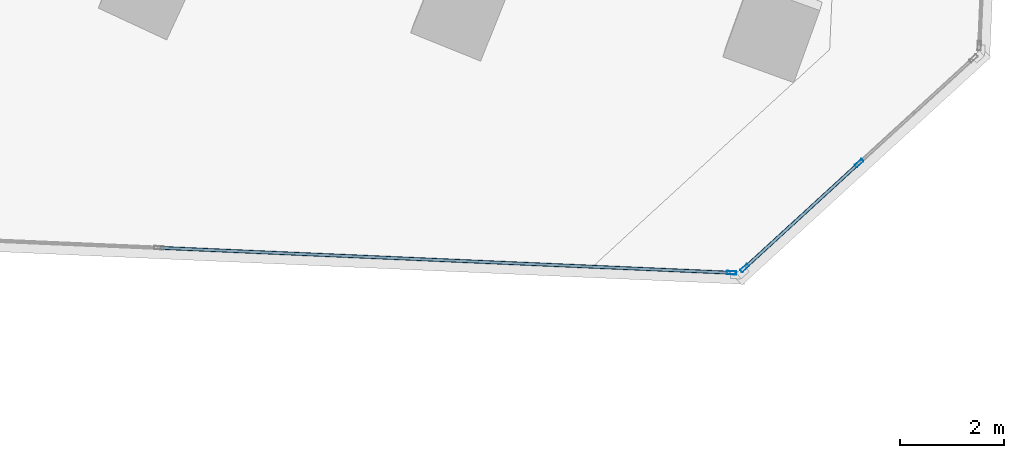
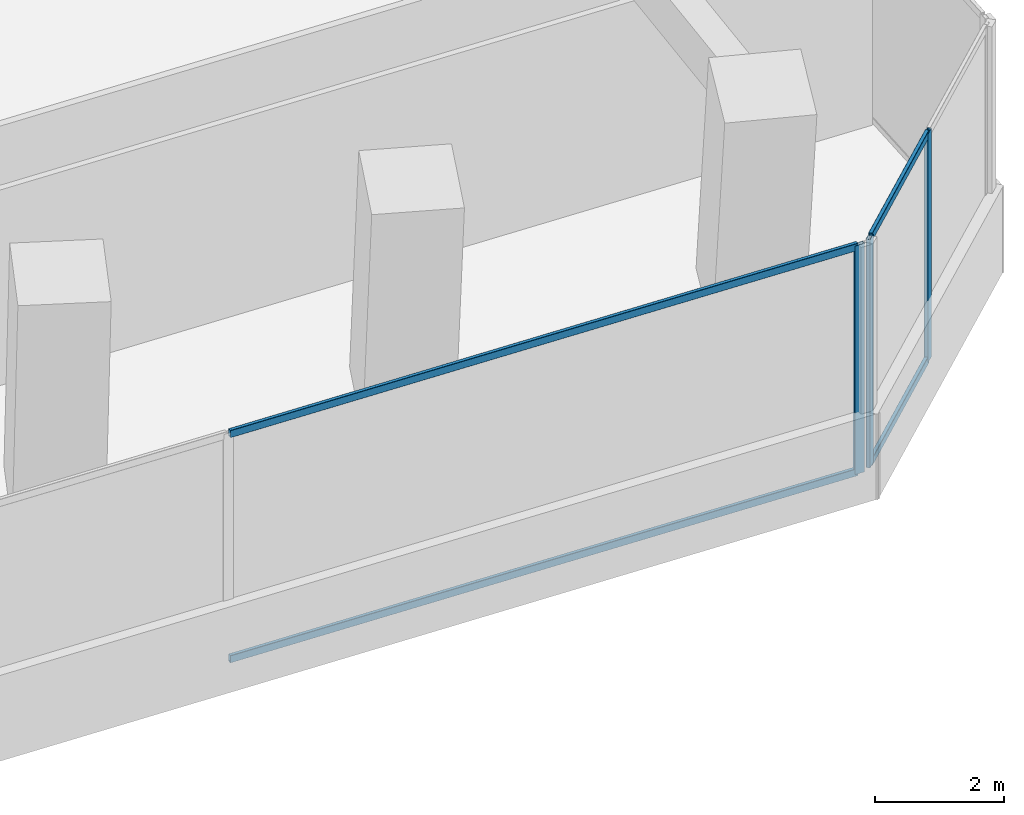
# One storey, part 10 of 26: 7 members, 2 elements without a shape of their own.
"""IFC4 building model written with IfcOpenShell, lengths in metres."""

from ifc_helpers import new_model, si_unit, direction, frame, origin, origin_2d, place, context, subcontext, project, spatial, hollow_rectangle, extrude, source, transform, mapped, material, material_profile, profile_set, type_object, element, aggregate, save


model = new_model("IFC4")

# Units and contexts
model_context = context("Model", 3, precision=1e-05, world=origin(), true_north=direction((0.0, 1.0)))
body_context = subcontext(model_context, "Body", "Model", "MODEL_VIEW")
ifc_project = project(units=[si_unit("LENGTHUNIT", "METRE"), si_unit("AREAUNIT", "SQUARE_METRE"), si_unit("VOLUMEUNIT", "CUBIC_METRE"), si_unit("PLANEANGLEUNIT", "RADIAN"), si_unit("MASSUNIT", "GRAM", prefix="KILO")], contexts=[model_context])

# Site, building, storey
site_placement = place(None, origin())
site = spatial("IfcSite", under=ifc_project, at=site_placement, CompositionType="ELEMENT")
building_placement = place(site_placement, origin())
building = spatial("IfcBuilding", under=site, at=building_placement, Name="Torre Montelarca", CompositionType="ELEMENT")
storey_placement = place(building_placement, frame((0.0, 0.0, 42.39990234375)))
storey = spatial("IfcBuildingStorey", under=building, at=storey_placement, Name="L09", CompositionType="ELEMENT", Elevation=42.39990234375)

# Curtain wall, member
ifc_material_1 = material(Name="Insulated low-E laminated glass", Category="glass")
curtain_wall_type = type_object("IfcCurtainWallType", Name="CW-SYS-Z1", PredefinedType="USERDEFINED", material=ifc_material_1)
curtain_wall_1_placement = place(storey_placement, origin())
curtain_wall_1 = element("IfcCurtainWall", 1, at=curtain_wall_1_placement, inside=storey, type_object=curtain_wall_type, Name="L09 Curtain Wall Run CW-T3-L09-E04-B1", ObjectType="UNITISED GLAZING", PredefinedType="USERDEFINED")
ifc_material_2 = material(Name="Anodised aluminium AA 6063-T6", Category="aluminium")
ifc_material_profile_1 = material_profile(ifc_material_2, hollow_rectangle(XDim=0.06494140625, YDim=0.179931640625, WallThickness=0.00390625, InnerFilletRadius=0.00390625, OuterFilletRadius=0.008056640625, at=origin_2d()), Name="ALU65X180X4", Category="aluminium")
ifc_profile_set_1 = profile_set([ifc_material_profile_1], Name="Anodised aluminium AA 6063-T6")
member_type_1 = type_object("IfcMemberType", Name="CWM-ALU180", PredefinedType="MULLION", material=ifc_profile_set_1)
shared_shape_1 = source(origin(), body_context, "Body", "SweptSolid", [
    extrude(hollow_rectangle(XDim=0.06494140625, YDim=0.179931640625, WallThickness=0.00390625, InnerFilletRadius=0.00390625, OuterFilletRadius=0.008056640625, at=origin_2d()), origin(), (0.0, 0.0, 1.0), 4.320068359375),
])
member_1_placement = place(storey_placement, frame((58.569580078125, 16.698486328125, 0.0), z_axis=(0.0, 0.0, 1.0), x_axis=(0.043617352644, 0.999048310418, 0.0)))
member_1 = element("IfcMember", 2, at=member_1_placement, type_object=member_type_1, Name="CW mullion 3", PredefinedType="MULLION", context=body_context, shape_type="MappedRepresentation", body=[
    mapped(shared_shape_1, transform((0.0, 0.0, 0.0), scale=1.0)),
])

# Curtain wall, members
curtain_wall_2_placement = place(storey_placement, origin())
curtain_wall_2 = element("IfcCurtainWall", 3, at=curtain_wall_2_placement, inside=storey, type_object=curtain_wall_type, Name="L09 Curtain Wall Run CW-T3-L09-E05-B1", ObjectType="UNITISED GLAZING", PredefinedType="USERDEFINED")
member_2_placement = place(storey_placement, frame((58.8203125, 16.789794921875, 0.0), z_axis=(0.0, 0.0, 1.0), x_axis=(-0.675574480513, 0.737291747736, 0.0)))
member_2 = element("IfcMember", 4, at=member_2_placement, type_object=member_type_1, Name="CW mullion 1", PredefinedType="MULLION", context=body_context, shape_type="MappedRepresentation", body=[
    mapped(shared_shape_1, transform((0.0, 0.0, 0.0), scale=1.0)),
])
member_3_placement = place(storey_placement, frame((61.020263671875, 18.8056640625, 0.0), z_axis=(0.0, 0.0, 1.0), x_axis=(-0.675574480513, 0.737291747736, 0.0)))
member_3 = element("IfcMember", 5, at=member_3_placement, type_object=member_type_1, Name="CW mullion 2", PredefinedType="MULLION", context=body_context, shape_type="MappedRepresentation", body=[
    mapped(shared_shape_1, transform((0.0, 0.0, 0.0), scale=1.0)),
])

# Member
ifc_material_profile_2 = material_profile(ifc_material_2, hollow_rectangle(XDim=0.06494140625, YDim=0.139892578125, WallThickness=0.00390625, InnerFilletRadius=0.00390625, OuterFilletRadius=0.008056640625, at=origin_2d()), Name="ALU65X140X4", Category="aluminium")
ifc_profile_set_2 = profile_set([ifc_material_profile_2], Name="Anodised aluminium AA 6063-T6")
member_type_2 = type_object("IfcMemberType", Name="CWT-ALU140", PredefinedType="USERDEFINED", material=ifc_profile_set_2)
shared_shape_2 = source(origin(), body_context, "Body", "SweptSolid", [
    extrude(hollow_rectangle(XDim=0.06494140625, YDim=0.139892578125, WallThickness=0.00390625, InnerFilletRadius=0.00390625, OuterFilletRadius=0.008056640625, at=origin_2d()), origin(), (0.0, 0.0, 1.0), 10.94873046875),
])
member_4_placement = place(storey_placement, frame((47.598876953125, 17.177490234375, 0.03271484375), z_axis=(0.99904835881, -0.043616244221, 0.0), x_axis=(0.043616244221, 0.99904835881, 0.0)))
member_4 = element("IfcMember", 6, at=member_4_placement, type_object=member_type_2, Name="CW transom 2.1", ObjectType="TRANSOM", PredefinedType="USERDEFINED", context=body_context, shape_type="MappedRepresentation", body=[
    mapped(shared_shape_2, transform((0.0, 0.0, 0.0), scale=1.0)),
])

member_5_placement = place(storey_placement, frame((47.598876953125, 17.177490234375, 4.28759765625), z_axis=(0.99904835881, -0.043616244221, 0.0), x_axis=(0.043616244221, 0.99904835881, 0.0)))
member_5 = element("IfcMember", 7, at=member_5_placement, type_object=member_type_2, Name="CW transom 2.2", ObjectType="TRANSOM", PredefinedType="USERDEFINED", context=body_context, shape_type="MappedRepresentation", body=[
    mapped(shared_shape_2, transform((0.0, 0.0, 0.0), scale=1.0)),
])

aggregate(curtain_wall_1, [member_1, member_4, member_5])

shared_shape_3 = source(origin(), body_context, "Body", "SweptSolid", [
    extrude(hollow_rectangle(XDim=0.06494140625, YDim=0.139892578125, WallThickness=0.00390625, InnerFilletRadius=0.00390625, OuterFilletRadius=0.008056640625, at=origin_2d()), origin(), (0.0, 0.0, 1.0), 2.9189453125),
])
member_6_placement = place(storey_placement, frame((58.84423828125, 16.811767578125, 0.03271484375), z_axis=(0.737296471561, 0.675569325105, 0.0), x_axis=(-0.675569325105, 0.737296471561, 0.0)))
member_6 = element("IfcMember", 8, at=member_6_placement, type_object=member_type_2, Name="CW transom 1.1", ObjectType="TRANSOM", PredefinedType="USERDEFINED", context=body_context, shape_type="MappedRepresentation", body=[
    mapped(shared_shape_3, transform((0.0, 0.0, 0.0), scale=1.0)),
])

member_7_placement = place(storey_placement, frame((58.84423828125, 16.811767578125, 4.28759765625), z_axis=(0.737296471561, 0.675569325105, 0.0), x_axis=(-0.675569325105, 0.737296471561, 0.0)))
member_7 = element("IfcMember", 9, at=member_7_placement, type_object=member_type_2, Name="CW transom 1.2", ObjectType="TRANSOM", PredefinedType="USERDEFINED", context=body_context, shape_type="MappedRepresentation", body=[
    mapped(shared_shape_3, transform((0.0, 0.0, 0.0), scale=1.0)),
])

aggregate(curtain_wall_2, [member_2, member_3, member_6, member_7])

save(model, "model.ifc")
